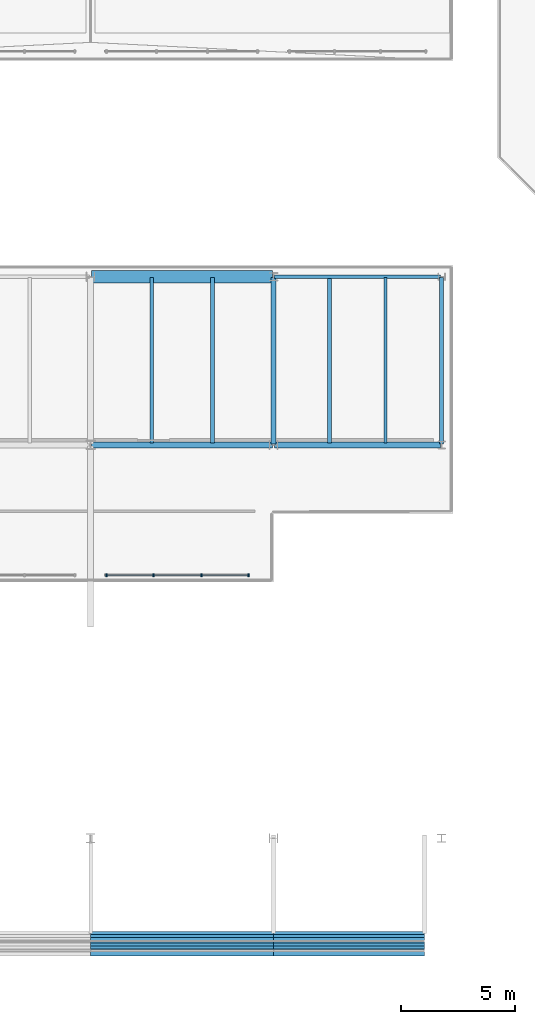
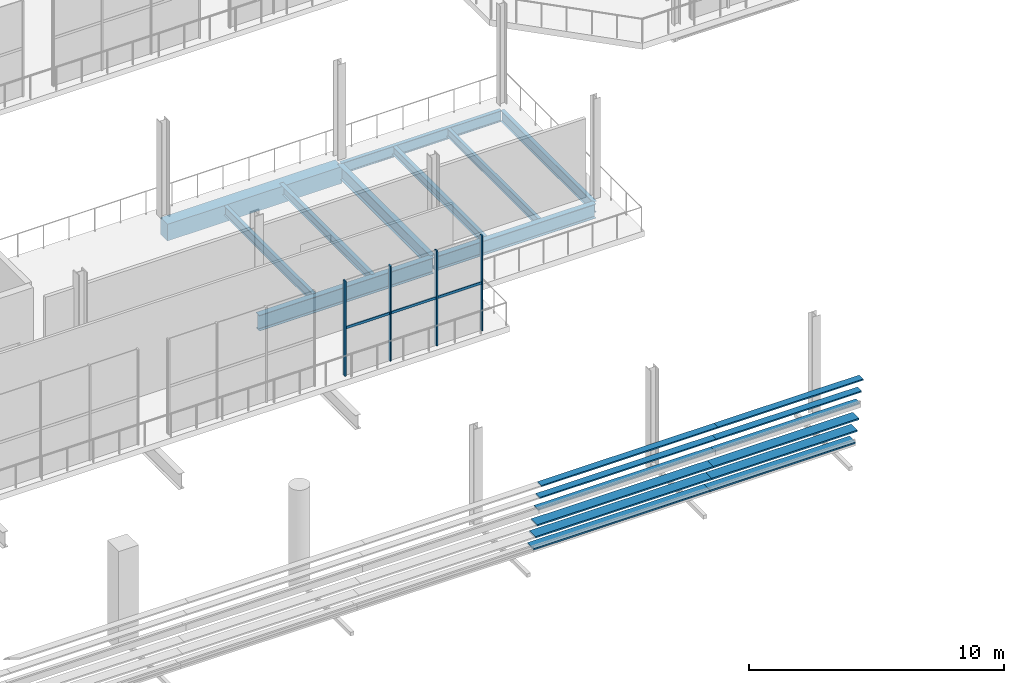
# One storey, part 23 of 70: 19 members, 10 beams, 1 element without a shape of its own.
"""IFC4 building model written with IfcOpenShell, lengths in metres."""

from ifc_helpers import new_model, si_unit, direction, frame, origin, origin_2d, place, context, subcontext, project, spatial, rectangle, i_section, extrude, material, material_profile, profile_set, type_object, element, aggregate, save


model = new_model("IFC4")

# Units and contexts
model_context = context("Model", 3, precision=1e-05, world=origin(), true_north=direction((0.0, 1.0)))
body_context = subcontext(model_context, "Body", "Model", "MODEL_VIEW")
ifc_project = project(units=[si_unit("LENGTHUNIT", "METRE"), si_unit("AREAUNIT", "SQUARE_METRE"), si_unit("VOLUMEUNIT", "CUBIC_METRE"), si_unit("PLANEANGLEUNIT", "RADIAN"), si_unit("MASSUNIT", "GRAM", prefix="KILO")], contexts=[model_context])

# Site, building, storey
site_placement = place(None, origin())
site = spatial("IfcSite", under=ifc_project, at=site_placement, CompositionType="ELEMENT")
building_placement = place(site_placement, origin())
building = spatial("IfcBuilding", under=site, at=building_placement, Name="Brisemont Oceanarium", CompositionType="ELEMENT")
storey_placement = place(building_placement, frame((0.0, 0.0, 10.199951171875)))
storey = spatial("IfcBuildingStorey", under=building, at=storey_placement, Name="L02", CompositionType="ELEMENT", Elevation=10.199951171875)

# Beams
ifc_material_1 = material(Name="Concrete C40/50", Category="concrete")
ifc_material_profile_1 = material_profile(ifc_material_1, rectangle(XDim=0.550048828125, YDim=0.800048828125, at=origin_2d()), Name="RC-BM-550X800")
ifc_profile_set_1 = profile_set([ifc_material_profile_1], Name="Concrete C40/50")
beam_type_1 = type_object("IfcBeamType", Name="BM-RC550X800", PredefinedType="SPANDREL", material=ifc_profile_set_1)
beam_1_placement = place(storey_placement, frame((40.0400390625, 31.35009765625, -0.679931640625), z_axis=(1.0, 0.0, 0.0), x_axis=(0.0, 1.0, 0.0)))
element("IfcBeam", 1, at=beam_1_placement, inside=storey, type_object=beam_type_1, Name="V2 L02 EW girder", PredefinedType="SPANDREL", context=body_context, shape_type="SweptSolid", body=[
    extrude(rectangle(XDim=0.550048828125, YDim=0.800048828125, at=origin_2d()), origin(), (0.0, 0.0, 1.0), 7.919921875),
])
ifc_material_2 = material(Name="Structural Steel ASTM A992 Gr.50", Category="steel")
ifc_material_profile_2 = material_profile(ifc_material_2, i_section(OverallWidth=0.139892578125, OverallDepth=0.39892578125, WebThickness=0.00634765625, FlangeThickness=0.0087890625, FilletRadius=0.010009765625, at=origin_2d()), Name="W16X26")
ifc_profile_set_2 = profile_set([ifc_material_profile_2], Name="Structural Steel ASTM A992 Gr.50")
beam_type_2 = type_object("IfcBeamType", Name="BM-W16X26", PredefinedType="JOIST", material=ifc_profile_set_2)
beam_2_placement = place(storey_placement, frame((52.89990234375, 24.090087890625, -0.4794921875), z_axis=(0.0, 1.0, 0.0), x_axis=(-1.0, 0.0, 0.0)))
element("IfcBeam", 2, at=beam_2_placement, inside=storey, type_object=beam_type_2, Name="V2 L02 secondary floor beam", PredefinedType="JOIST", context=body_context, shape_type="SweptSolid", body=[
    extrude(i_section(OverallWidth=0.139892578125, OverallDepth=0.39892578125, WebThickness=0.00634765625, FlangeThickness=0.0087890625, FilletRadius=0.010009765625, at=origin_2d()), origin(), (0.0, 0.0, 1.0), 7.219970703125),
])
ifc_material_3 = material(Name="Structural Steel ASTM A992 Gr.50", Category="steel")
ifc_material_profile_3 = material_profile(ifc_material_3, i_section(OverallWidth=0.177978515625, OverallDepth=0.404052734375, WebThickness=0.007568359375, FlangeThickness=0.010986328125, FilletRadius=0.010009765625, at=origin_2d()), Name="W16X36")
ifc_profile_set_3 = profile_set([ifc_material_profile_3], Name="Structural Steel ASTM A992 Gr.50")
beam_type_3 = type_object("IfcBeamType", Name="BM-W16X36", PredefinedType="JOIST", material=ifc_profile_set_3)
for number, where, z_axis, x_axis, name in (
    (3, (45.333251953125, 24.090087890625, -0.48193359375), (0.0, 1.0, 0.0), (-1.0, 0.0, 0.0), "V2 L02 secondary floor beam"),
    (4, (50.449951171875, 24.090087890625, -0.48193359375), (0.0, 1.0, 0.0), (-1.0, 0.0, 0.0), "V2 L02 secondary floor beam"),
):
    element("IfcBeam", number, at=place(storey_placement, frame(where, z_axis=z_axis, x_axis=x_axis)), inside=storey, type_object=beam_type_3, Name=name, PredefinedType="JOIST", context=body_context, shape_type="SweptSolid", body=[
        extrude(i_section(OverallWidth=0.177978515625, OverallDepth=0.404052734375, WebThickness=0.007568359375, FlangeThickness=0.010986328125, FilletRadius=0.010009765625, at=origin_2d()), origin(), (0.0, 0.0, 1.0), 7.219970703125),
    ])
ifc_material_4 = material(Name="Structural Steel ASTM A992 Gr.50", Category="steel")
ifc_material_profile_4 = material_profile(ifc_material_4, i_section(OverallWidth=0.153076171875, OverallDepth=0.455078125, WebThickness=0.008056640625, FlangeThickness=0.01318359375, FilletRadius=0.010986328125, at=origin_2d()), Name="W18X40")
ifc_profile_set_4 = profile_set([ifc_material_profile_4], Name="Structural Steel ASTM A992 Gr.50")
beam_type_4 = type_object("IfcBeamType", Name="BM-W18X40", PredefinedType="JOIST", material=ifc_profile_set_4)
beam_3_placement = place(storey_placement, frame((42.666748046875, 24.090087890625, -0.507568359375), z_axis=(0.0, 1.0, 0.0), x_axis=(-1.0, 0.0, 0.0)))
element("IfcBeam", 5, at=beam_3_placement, inside=storey, type_object=beam_type_4, Name="V2 L02 secondary floor beam", PredefinedType="JOIST", context=body_context, shape_type="SweptSolid", body=[
    extrude(i_section(OverallWidth=0.153076171875, OverallDepth=0.455078125, WebThickness=0.008056640625, FlangeThickness=0.01318359375, FilletRadius=0.010986328125, at=origin_2d()), origin(), (0.0, 0.0, 1.0), 7.219970703125),
])
ifc_material_5 = material(Name="Structural Steel ASTM A992 Gr.50", Category="steel")
ifc_material_profile_5 = material_profile(ifc_material_5, i_section(OverallWidth=0.166015625, OverallDepth=0.528076171875, WebThickness=0.009765625, FlangeThickness=0.013671875, FilletRadius=0.012939453125, at=origin_2d()), Name="W21X50")
ifc_profile_set_5 = profile_set([ifc_material_profile_5], Name="Structural Steel ASTM A992 Gr.50")
beam_type_5 = type_object("IfcBeamType", Name="BM-W21X50", PredefinedType="SPANDREL", material=ifc_profile_set_5)
for number, where, z_axis, x_axis, name in (
    (6, (48.0400390625, 31.35009765625, -0.5439453125), (1.0, 0.0, 0.0), (0.0, 1.0, 0.0), "V2 L02 EW girder"),
    (7, (55.35009765625, 24.0400390625, -0.5439453125), (0.0, 1.0, 0.0), (-1.0, 0.0, 0.0), "V2 L02 NS girder"),
):
    element("IfcBeam", number, at=place(storey_placement, frame(where, z_axis=z_axis, x_axis=x_axis)), inside=storey, type_object=beam_type_5, Name=name, PredefinedType="SPANDREL", context=body_context, shape_type="SweptSolid", body=[
        extrude(i_section(OverallWidth=0.166015625, OverallDepth=0.528076171875, WebThickness=0.009765625, FlangeThickness=0.013671875, FilletRadius=0.012939453125, at=origin_2d()), origin(), (0.0, 0.0, 1.0), 7.27001953125),
    ])
ifc_material_6 = material(Name="Structural Steel ASTM A992 Gr.50", Category="steel")
ifc_material_profile_6 = material_profile(ifc_material_6, i_section(OverallWidth=0.22900390625, OverallDepth=0.612060546875, WebThickness=0.011962890625, FlangeThickness=0.01953125, FilletRadius=0.012939453125, at=origin_2d()), Name="W24X84")
ifc_profile_set_6 = profile_set([ifc_material_profile_6], Name="Structural Steel ASTM A992 Gr.50")
beam_type_6 = type_object("IfcBeamType", Name="BM-W24X84", PredefinedType="BEAM", material=ifc_profile_set_6)
beam_4_placement = place(storey_placement, frame((48.0, 24.0400390625, -0.5859375), z_axis=(0.0, 1.0, 0.0), x_axis=(-1.0, 0.0, 0.0)))
element("IfcBeam", 8, at=beam_4_placement, inside=storey, type_object=beam_type_6, Name="V2 L02 NS girder", PredefinedType="BEAM", context=body_context, shape_type="SweptSolid", body=[
    extrude(i_section(OverallWidth=0.22900390625, OverallDepth=0.612060546875, WebThickness=0.011962890625, FlangeThickness=0.01953125, FilletRadius=0.012939453125, at=origin_2d()), origin(), (0.0, 0.0, 1.0), 7.27001953125),
])
ifc_material_7 = material(Name="Structural Steel ASTM A992 Gr.50", Category="steel")
ifc_material_profile_7 = material_profile(ifc_material_7, i_section(OverallWidth=0.25390625, OverallDepth=0.68310546875, WebThickness=0.012451171875, FlangeThickness=0.018798828125, FilletRadius=0.014892578125, at=origin_2d()), Name="W27X94")
ifc_profile_set_7 = profile_set([ifc_material_profile_7], Name="Structural Steel ASTM A992 Gr.50")
beam_type_7 = type_object("IfcBeamType", Name="BM-W27X94", PredefinedType="BEAM", material=ifc_profile_set_7)
beam_5_placement = place(storey_placement, frame((48.0400390625, 24.0, -0.621337890625), z_axis=(1.0, 0.0, 0.0), x_axis=(0.0, 1.0, 0.0)))
element("IfcBeam", 9, at=beam_5_placement, inside=storey, type_object=beam_type_7, Name="V2 L02 EW girder", PredefinedType="BEAM", context=body_context, shape_type="SweptSolid", body=[
    extrude(i_section(OverallWidth=0.25390625, OverallDepth=0.68310546875, WebThickness=0.012451171875, FlangeThickness=0.018798828125, FilletRadius=0.014892578125, at=origin_2d()), origin(), (0.0, 0.0, 1.0), 7.27001953125),
])
ifc_material_8 = material(Name="Structural Steel ASTM A992 Gr.50", Category="steel")
ifc_material_profile_8 = material_profile(ifc_material_8, i_section(OverallWidth=0.264892578125, OverallDepth=0.7529296875, WebThickness=0.01318359375, FlangeThickness=0.01708984375, FilletRadius=0.01611328125, at=origin_2d()), Name="W30X99")
ifc_profile_set_8 = profile_set([ifc_material_profile_8], Name="Structural Steel ASTM A992 Gr.50")
beam_type_8 = type_object("IfcBeamType", Name="BM-W30X99", PredefinedType="BEAM", material=ifc_profile_set_8)
beam_6_placement = place(storey_placement, frame((40.0400390625, 24.0, -0.656494140625), z_axis=(1.0, 0.0, 0.0), x_axis=(0.0, 1.0, 0.0)))
element("IfcBeam", 10, at=beam_6_placement, inside=storey, type_object=beam_type_8, Name="V2 L02 EW girder", PredefinedType="BEAM", context=body_context, shape_type="SweptSolid", body=[
    extrude(i_section(OverallWidth=0.264892578125, OverallDepth=0.7529296875, WebThickness=0.01318359375, FlangeThickness=0.01708984375, FilletRadius=0.01611328125, at=origin_2d()), origin(), (0.0, 0.0, 1.0), 7.919921875),
])

# Curtain wall, members
ifc_material_9 = material(Name="Anodized Extruded Aluminum 6063-T6", Category="aluminium")
curtain_wall_type = type_object("IfcCurtainWallType", Name="CW-CLR-48X34", PredefinedType="NOTDEFINED", material=ifc_material_9)
curtain_wall_placement = place(storey_placement, origin())
curtain_wall = element("IfcCurtainWall", 11, at=curtain_wall_placement, inside=storey, type_object=curtain_wall_type, Name="CW-22 curtain wall CW-V2-S-L02-05", PredefinedType="NOTDEFINED")
ifc_material_10 = material(Name="Anodized Extruded Aluminum 6063-T6", Category="aluminium")
ifc_material_profile_9 = material_profile(ifc_material_10, rectangle(XDim=0.06005859375, YDim=0.14990234375, at=origin_2d()), Name="CWM-60X150")
ifc_profile_set_9 = profile_set([ifc_material_profile_9], Name="Anodized Extruded Aluminum 6063-T6")
member_type_1 = type_object("IfcMemberType", Name="MEM-CWM-60", PredefinedType="MULLION", material=ifc_profile_set_9)
member_1_placement = place(storey_placement, frame((40.695068359375, 18.300048828125, 0.0), z_axis=(0.0, 0.0, 1.0), x_axis=(1.0, 0.0, 0.0)))
member_1 = element("IfcMember", 12, at=member_1_placement, type_object=member_type_1, Name="CW-V2-S-L02-05 mullion 1", PredefinedType="MULLION", context=body_context, shape_type="SweptSolid", body=[
    extrude(rectangle(XDim=0.06005859375, YDim=0.14990234375, at=origin_2d()), origin(), (0.0, 0.0, 1.0), 4.56005859375),
])
member_2_placement = place(storey_placement, frame((42.75, 18.300048828125, 0.0), z_axis=(0.0, 0.0, 1.0), x_axis=(1.0, 0.0, 0.0)))
member_2 = element("IfcMember", 13, at=member_2_placement, type_object=member_type_1, Name="CW-V2-S-L02-05 mullion 2", PredefinedType="MULLION", context=body_context, shape_type="SweptSolid", body=[
    extrude(rectangle(XDim=0.06005859375, YDim=0.14990234375, at=origin_2d()), origin(), (0.0, 0.0, 1.0), 4.56005859375),
])
member_3_placement = place(storey_placement, frame((44.85009765625, 18.300048828125, 0.0), z_axis=(0.0, 0.0, 1.0), x_axis=(1.0, 0.0, 0.0)))
member_3 = element("IfcMember", 14, at=member_3_placement, type_object=member_type_1, Name="CW-V2-S-L02-05 mullion 3", PredefinedType="MULLION", context=body_context, shape_type="SweptSolid", body=[
    extrude(rectangle(XDim=0.06005859375, YDim=0.14990234375, at=origin_2d()), origin(), (0.0, 0.0, 1.0), 4.56005859375),
])
member_4_placement = place(storey_placement, frame((46.905029296875, 18.300048828125, 0.0), z_axis=(0.0, 0.0, 1.0), x_axis=(1.0, 0.0, 0.0)))
member_4 = element("IfcMember", 15, at=member_4_placement, type_object=member_type_1, Name="CW-V2-S-L02-05 mullion 4", PredefinedType="MULLION", context=body_context, shape_type="SweptSolid", body=[
    extrude(rectangle(XDim=0.06005859375, YDim=0.14990234375, at=origin_2d()), origin(), (0.0, 0.0, 1.0), 4.56005859375),
])
ifc_material_11 = material(Name="Anodized Extruded Aluminum 6063-T6", Category="aluminium")
ifc_material_profile_10 = material_profile(ifc_material_11, rectangle(XDim=0.06005859375, YDim=0.1201171875, at=origin_2d()), Name="CWT-60X120")
ifc_profile_set_10 = profile_set([ifc_material_profile_10], Name="Anodized Extruded Aluminum 6063-T6")
member_type_2 = type_object("IfcMemberType", Name="MEM-CWT-60", PredefinedType="USERDEFINED", material=ifc_profile_set_10)
member_5_placement = place(storey_placement, frame((40.6650390625, 18.300048828125, 2.280029296875), z_axis=(1.0, 0.0, 0.0), x_axis=(0.0, 1.0, 0.0)))
member_5 = element("IfcMember", 16, at=member_5_placement, type_object=member_type_2, Name="CW-V2-S-L02-05 transom 1.1", ObjectType="TRANSOM", PredefinedType="USERDEFINED", context=body_context, shape_type="SweptSolid", body=[
    extrude(rectangle(XDim=0.06005859375, YDim=0.1201171875, at=origin_2d()), origin(), (0.0, 0.0, 1.0), 2.070068359375),
])
member_6_placement = place(storey_placement, frame((42.764892578125, 18.300048828125, 2.280029296875), z_axis=(1.0, 0.0, 0.0), x_axis=(0.0, 1.0, 0.0)))
member_6 = element("IfcMember", 17, at=member_6_placement, type_object=member_type_2, Name="CW-V2-S-L02-05 transom 2.1", ObjectType="TRANSOM", PredefinedType="USERDEFINED", context=body_context, shape_type="SweptSolid", body=[
    extrude(rectangle(XDim=0.06005859375, YDim=0.1201171875, at=origin_2d()), origin(), (0.0, 0.0, 1.0), 2.070068359375),
])
member_7_placement = place(storey_placement, frame((44.864990234375, 18.300048828125, 2.280029296875), z_axis=(1.0, 0.0, 0.0), x_axis=(0.0, 1.0, 0.0)))
member_7 = element("IfcMember", 18, at=member_7_placement, type_object=member_type_2, Name="CW-V2-S-L02-05 transom 3.1", ObjectType="TRANSOM", PredefinedType="USERDEFINED", context=body_context, shape_type="SweptSolid", body=[
    extrude(rectangle(XDim=0.06005859375, YDim=0.1201171875, at=origin_2d()), origin(), (0.0, 0.0, 1.0), 2.070068359375),
])
aggregate(curtain_wall, [member_1, member_2, member_3, member_4, member_5, member_6, member_7])

# Members
ifc_material_12 = material(Name="Architectural Bronze-Anodized Cedar Composite")
ifc_material_profile_11 = material_profile(ifc_material_12, rectangle(XDim=0.320068359375, YDim=0.06494140625, at=origin_2d()), Name="LOUVRE-320X65")
ifc_profile_set_11 = profile_set([ifc_material_profile_11], Name="Architectural Bronze-Anodized Cedar Composite")
member_type_3 = type_object("IfcMemberType", Name="MEM-LV-320", PredefinedType="USERDEFINED", material=ifc_profile_set_11)
for number, where, z_axis, x_axis, name in (
    (19, (40.0, 2.064697265625, 3.72998046875), (1.0, 0.0, 0.0), (0.0, 1.0, 0.0), "V2 stepped horizontal louvre blade T5.5.1"),
    (20, (40.0, 1.932373046875, 4.380126953125), (1.0, 0.0, 0.0), (0.0, 1.0, 0.0), "V2 stepped horizontal louvre blade T5.5.2"),
    (21, (40.0, 1.800048828125, 5.030029296875), (1.0, 0.0, 0.0), (0.0, 1.0, 0.0), "V2 stepped horizontal louvre blade T5.5.3"),
):
    element("IfcMember", number, at=place(storey_placement, frame(where, z_axis=z_axis, x_axis=x_axis)), inside=storey, type_object=member_type_3, Name=name, ObjectType="LOUVRE_BLADE", PredefinedType="USERDEFINED", context=body_context, shape_type="SweptSolid", body=[
        extrude(rectangle(XDim=0.320068359375, YDim=0.06494140625, at=origin_2d()), origin(), (0.0, 0.0, 1.0), 8.0),
    ])
for number, where, z_axis, x_axis, name in (
    (22, (48.0, 2.064697265625, 3.72998046875), (1.0, 0.0, 0.0), (0.0, 1.0, 0.0), "V2 stepped horizontal louvre blade T5.6.1"),
    (23, (48.0, 1.932373046875, 4.380126953125), (1.0, 0.0, 0.0), (0.0, 1.0, 0.0), "V2 stepped horizontal louvre blade T5.6.2"),
    (24, (48.0, 1.800048828125, 5.030029296875), (1.0, 0.0, 0.0), (0.0, 1.0, 0.0), "V2 stepped horizontal louvre blade T5.6.3"),
):
    element("IfcMember", number, at=place(storey_placement, frame(where, z_axis=z_axis, x_axis=x_axis)), inside=storey, type_object=member_type_3, Name=name, ObjectType="LOUVRE_BLADE", PredefinedType="USERDEFINED", context=body_context, shape_type="SweptSolid", body=[
        extrude(rectangle(XDim=0.320068359375, YDim=0.06494140625, at=origin_2d()), origin(), (0.0, 0.0, 1.0), 6.60009765625),
    ])
ifc_material_13 = material(Name="Architectural Bronze-Anodized Cedar Composite")
ifc_material_profile_12 = material_profile(ifc_material_13, rectangle(XDim=0.47998046875, YDim=0.074951171875, at=origin_2d()), Name="LOUVRE-480X75")
ifc_profile_set_12 = profile_set([ifc_material_profile_12], Name="Architectural Bronze-Anodized Cedar Composite")
member_type_4 = type_object("IfcMemberType", Name="MEM-LV-480", PredefinedType="USERDEFINED", material=ifc_profile_set_12)
for number, where, z_axis, x_axis, name in (
    (25, (40.0, 2.49169921875, 1.630126953125), (1.0, 0.0, 0.0), (0.0, 1.0, 0.0), "V2 stepped horizontal louvre blade T4.5.1"),
    (26, (40.0, 2.359619140625, 2.280029296875), (1.0, 0.0, 0.0), (0.0, 1.0, 0.0), "V2 stepped horizontal louvre blade T4.5.2"),
    (27, (40.0, 2.227294921875, 2.929931640625), (1.0, 0.0, 0.0), (0.0, 1.0, 0.0), "V2 stepped horizontal louvre blade T4.5.3"),
):
    element("IfcMember", number, at=place(storey_placement, frame(where, z_axis=z_axis, x_axis=x_axis)), inside=storey, type_object=member_type_4, Name=name, ObjectType="LOUVRE_BLADE", PredefinedType="USERDEFINED", context=body_context, shape_type="SweptSolid", body=[
        extrude(rectangle(XDim=0.47998046875, YDim=0.074951171875, at=origin_2d()), origin(), (0.0, 0.0, 1.0), 8.0),
    ])
for number, where, z_axis, x_axis, name in (
    (28, (48.0, 2.49169921875, 1.630126953125), (1.0, 0.0, 0.0), (0.0, 1.0, 0.0), "V2 stepped horizontal louvre blade T4.6.1"),
    (29, (48.0, 2.359619140625, 2.280029296875), (1.0, 0.0, 0.0), (0.0, 1.0, 0.0), "V2 stepped horizontal louvre blade T4.6.2"),
    (30, (48.0, 2.227294921875, 2.929931640625), (1.0, 0.0, 0.0), (0.0, 1.0, 0.0), "V2 stepped horizontal louvre blade T4.6.3"),
):
    element("IfcMember", number, at=place(storey_placement, frame(where, z_axis=z_axis, x_axis=x_axis)), inside=storey, type_object=member_type_4, Name=name, ObjectType="LOUVRE_BLADE", PredefinedType="USERDEFINED", context=body_context, shape_type="SweptSolid", body=[
        extrude(rectangle(XDim=0.47998046875, YDim=0.074951171875, at=origin_2d()), origin(), (0.0, 0.0, 1.0), 6.60009765625),
    ])

save(model, "model.ifc")
